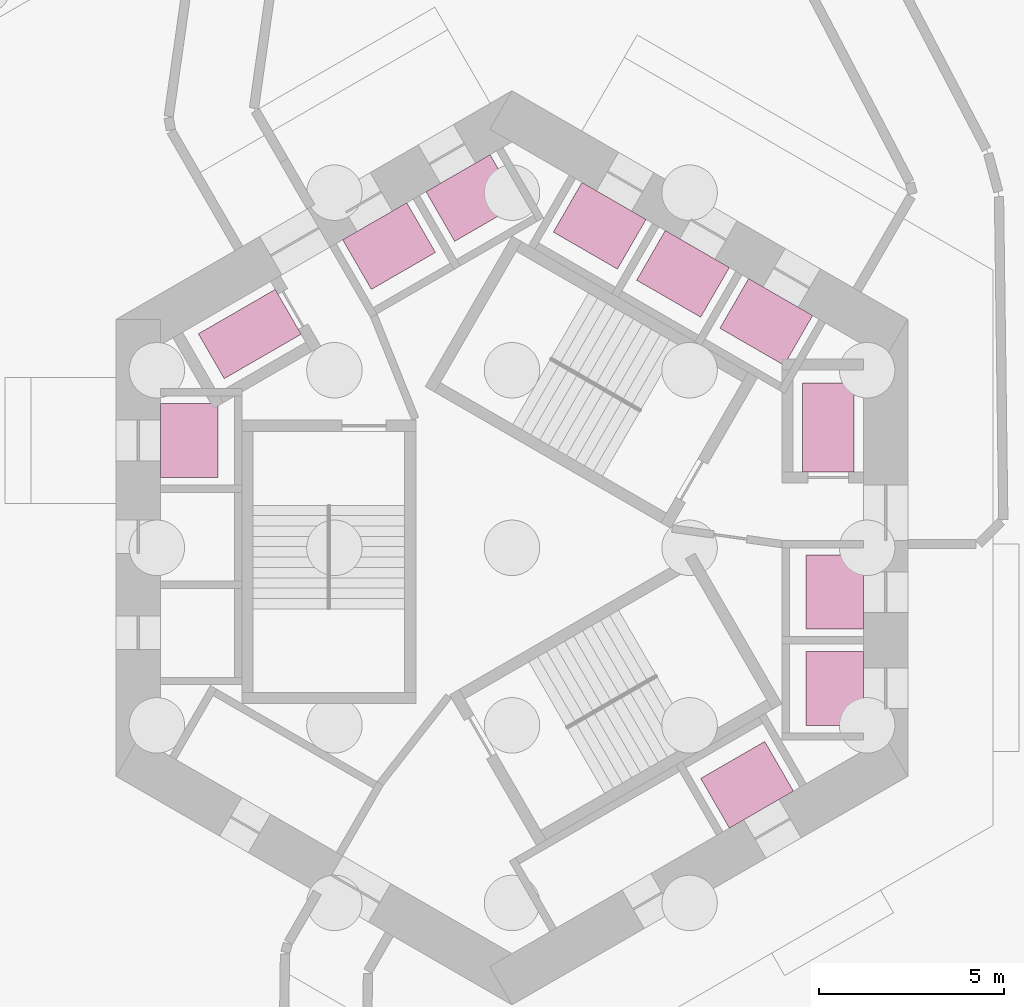
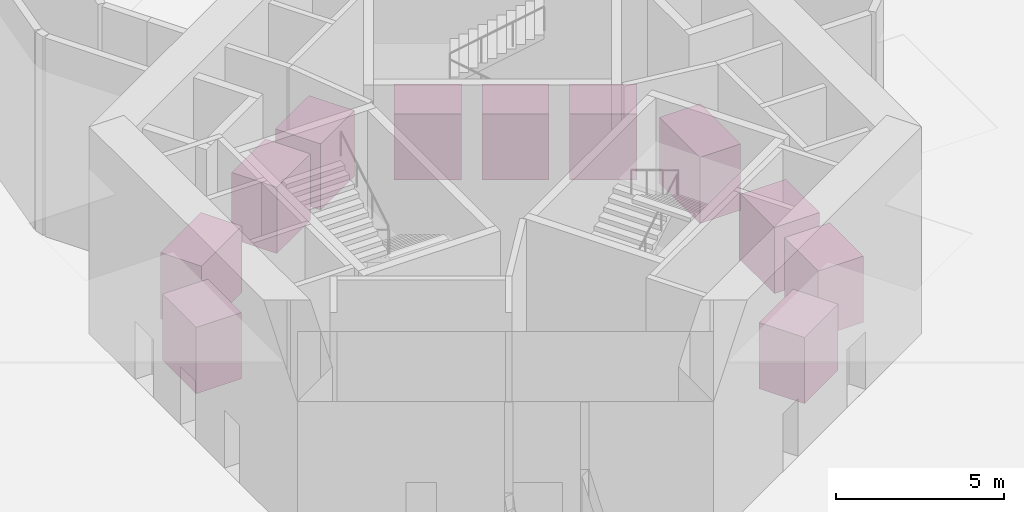
# One storey, part 16 of 16: 11 transport elements.
"""IFC4 building model written with IfcOpenShell, lengths in metres."""

from ifc_helpers import new_model, si_unit, direction, frame, origin, origin_2d, place, context, subcontext, project, spatial, rectangle, extrude, material, type_object, element, save


model = new_model("IFC4")

# Units and contexts
model_context = context("Model", 3, precision=1e-05, world=origin(), true_north=direction((0.0, 1.0)))
body_context = subcontext(model_context, "Body", "Model", "MODEL_VIEW")
ifc_project = project(units=[si_unit("LENGTHUNIT", "METRE"), si_unit("AREAUNIT", "SQUARE_METRE"), si_unit("VOLUMEUNIT", "CUBIC_METRE"), si_unit("PLANEANGLEUNIT", "RADIAN"), si_unit("MASSUNIT", "GRAM", prefix="KILO")], contexts=[model_context])

# Site, building, storey
site_placement = place(None, origin())
site = spatial("IfcSite", under=ifc_project, at=site_placement, CompositionType="ELEMENT")
building_placement = place(site_placement, origin())
building = spatial("IfcBuilding", under=site, at=building_placement, Name="Vanh Sen Convention Tower", CompositionType="ELEMENT")
storey_placement = place(building_placement, origin())
storey = spatial("IfcBuildingStorey", under=building, at=storey_placement, Name="L00", CompositionType="ELEMENT", Elevation=0.0)

# Transport elements
ifc_material = material(Name="Stainless steel lift car", Category="steel")
transport_element_type_1 = type_object("IfcTransportElementType", Name="Fire-fighting lift car 1600 kg", PredefinedType="ELEVATOR", material=ifc_material)
for number, where, z_axis, x_axis, name in (
    (1, (8.550048828125, 3.25, 0.0), (0.0, 0.0, 1.0), (1.0, 0.0, 0.0), "Lift car FF1"),
    (2, (-7.089599609375, 5.779541015625, 0.0), (0.0, 0.0, 1.0), (-0.5, 0.866025403784, 0.0), "Lift car FF2"),
):
    element("IfcTransportElement", number, at=place(storey_placement, frame(where, z_axis=z_axis, x_axis=x_axis)), inside=storey, type_object=transport_element_type_1, Name=name, PredefinedType="ELEVATOR", context=body_context, shape_type="SweptSolid", body=[
        extrude(rectangle(XDim=1.39990234375, YDim=2.39990234375, at=origin_2d()), origin(), (0.0, 0.0, 1.0), 2.39990234375),
    ])
transport_element_type_2 = type_object("IfcTransportElementType", Name="Low-rise passenger lift car 1350 kg", PredefinedType="ELEVATOR", material=ifc_material)
for number, where, z_axis, x_axis, name in (
    (3, (8.72509765625, -3.800048828125, 0.0), (0.0, 0.0, 1.0), (0.0, 1.0, 0.0), "Lift car LR1"),
    (4, (8.72509765625, -1.199951171875, 0.0), (0.0, 0.0, 1.0), (0.0, 1.0, 0.0), "Lift car LR2"),
    (5, (6.8740234375, 6.106201171875, 0.0), (0.0, 0.0, 1.0), (-0.866025403784, 0.5, 0.0), "Lift car LR3"),
    (6, (4.622314453125, 7.406005859375, 0.0), (0.0, 0.0, 1.0), (-0.866025403784, 0.5, 0.0), "Lift car LR4"),
    (7, (2.37060546875, 8.7060546875, 0.0), (0.0, 0.0, 1.0), (-0.866025403784, 0.5, 0.0), "Lift car LR5"),
    (8, (-1.071533203125, 9.4560546875, 0.0), (0.0, 0.0, 1.0), (-0.866025403784, -0.5, 0.0), "Lift car LR6"),
):
    element("IfcTransportElement", number, at=place(storey_placement, frame(where, z_axis=z_axis, x_axis=x_axis)), inside=storey, type_object=transport_element_type_2, Name=name, PredefinedType="ELEVATOR", context=body_context, shape_type="SweptSolid", body=[
        extrude(rectangle(XDim=2.0, YDim=1.550048828125, at=origin_2d()), origin(), (0.0, 0.0, 1.0), 2.39990234375),
    ])
transport_element_type_3 = type_object("IfcTransportElementType", Name="Service lift car 1350 kg", PredefinedType="ELEVATOR", material=ifc_material)
transport_element_placement = place(storey_placement, frame((6.3544921875, -6.406005859375, 0.0), z_axis=(0.0, 0.0, 1.0), x_axis=(0.866025403784, 0.5, 0.0)))
element("IfcTransportElement", 9, at=transport_element_placement, inside=storey, type_object=transport_element_type_3, Name="Lift car SV1", PredefinedType="ELEVATOR", context=body_context, shape_type="SweptSolid", body=[
    extrude(rectangle(XDim=2.0, YDim=1.550048828125, at=origin_2d()), origin(), (0.0, 0.0, 1.0), 2.39990234375),
])
transport_element_type_4 = type_object("IfcTransportElementType", Name="Sky shuttle lift car 1350 kg", PredefinedType="ELEVATOR", material=ifc_material)
for number, where, z_axis, x_axis, name in (
    (10, (-3.3232421875, 8.156005859375, 0.0), (0.0, 0.0, 1.0), (-0.866025403784, -0.5, 0.0), "Lift car SH1"),
    (11, (-8.72509765625, 2.89990234375, 0.0), (0.0, 0.0, 1.0), (0.0, -1.0, 0.0), "Lift car SH2"),
):
    element("IfcTransportElement", number, at=place(storey_placement, frame(where, z_axis=z_axis, x_axis=x_axis)), inside=storey, type_object=transport_element_type_4, Name=name, PredefinedType="ELEVATOR", context=body_context, shape_type="SweptSolid", body=[
        extrude(rectangle(XDim=2.0, YDim=1.550048828125, at=origin_2d()), origin(), (0.0, 0.0, 1.0), 2.39990234375),
    ])

save(model, "model.ifc")
